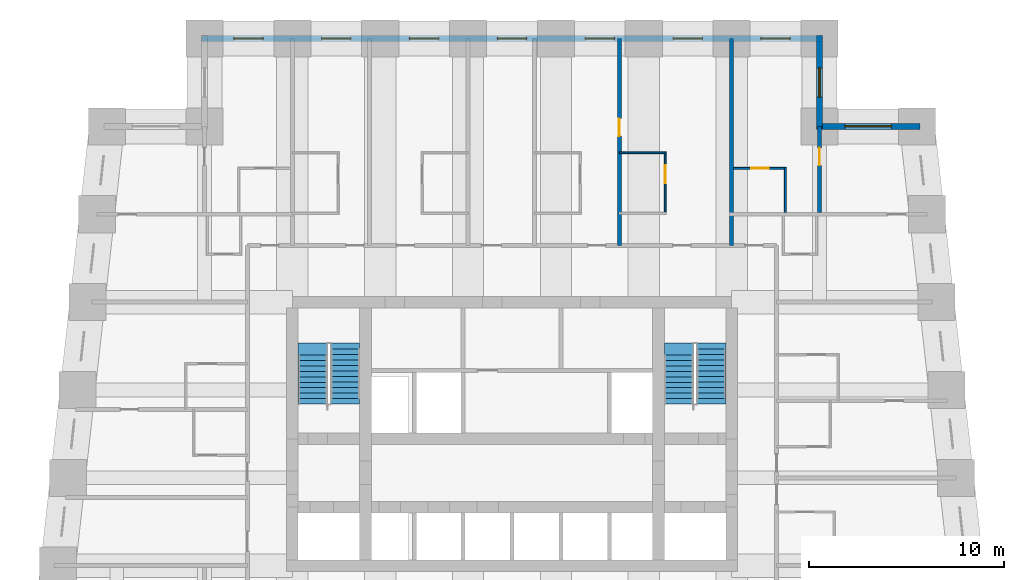
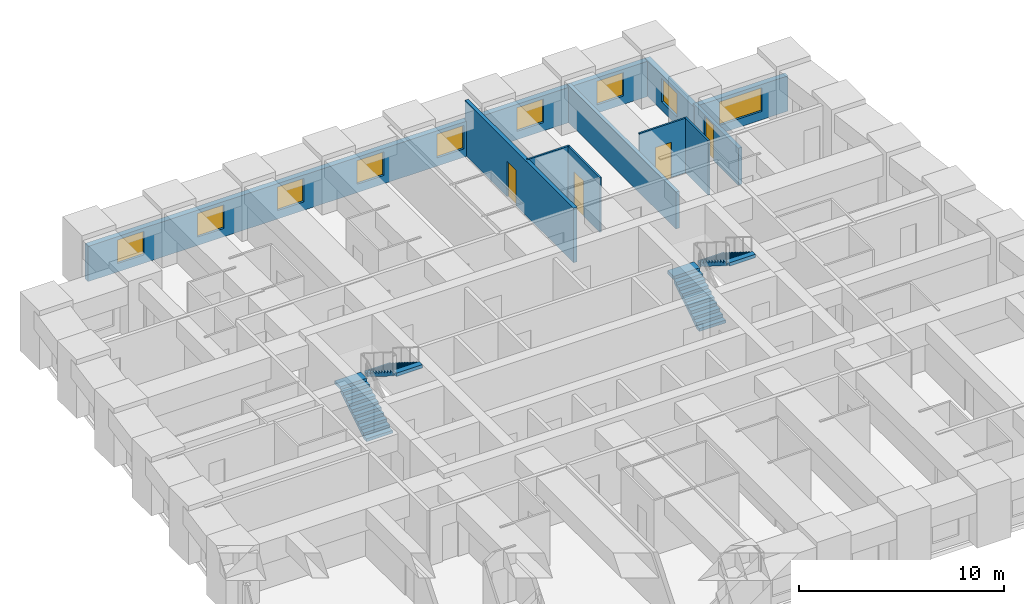
# One storey, part 7 of 8: 10 walls, 9 windows, 4 doors, 4 stair flights, 13 openings, 2 elements without a shape of their own.
"""IFC4 building model written with IfcOpenShell, lengths in metres."""

import ifcopenshell
import ifcopenshell.guid

model = None  # the IFC model being written
_history = None  # IfcOwnerHistory: only IFC2X3 demands one
_inside = {}  # id of a spatial element -> (the spatial element, [elements in it])
_under = {}  # id of a project, library or spatial element -> (it, [spatial elements below it])
_declared = {}  # id of a project -> (the project, [libraries it declares])
_typed = {}  # id of a type object -> (the type object, [elements of that type])
_made_of = {}  # id of a material, layer set ... -> (it, [elements and type objects made of it])


def new_model(schema):
    """Start an empty IFC model of exactly this schema.

    Asked for "IFC4X3", IfcOpenShell would pick the latest addendum, in which some entities
    have other attributes; the version numbers below select the first issue.
    IFC2X3 requires an IfcOwnerHistory on every rooted entity: one is made here for all.
    """
    global model, _history
    if schema == "IFC4X3":
        model = ifcopenshell.file(schema_version=(4, 3, 0, 0))
    else:
        model = ifcopenshell.file(schema=schema)
    _inside.clear()
    _under.clear()
    _declared.clear()
    _typed.clear()
    _made_of.clear()
    _history = None
    if model.schema == "IFC2X3":
        org = make("IfcOrganization", Name="unknown")
        user = make(
            "IfcPersonAndOrganization",
            ThePerson=make("IfcPerson", FamilyName="unknown"),
            TheOrganization=org,
        )
        app = make(
            "IfcApplication",
            ApplicationDeveloper=org,
            Version="unknown",
            ApplicationFullName="unknown",
            ApplicationIdentifier="unknown",
        )
        _history = make(
            "IfcOwnerHistory",
            OwningUser=user,
            OwningApplication=app,
            ChangeAction="ADDED",
            CreationDate=0,
        )
    return model


def make(cls, **values):
    """One entity of the class cls with the attributes given. An attribute that is None is left unset."""
    return model.create_entity(
        cls, **{name: value for name, value in values.items() if value is not None}
    )


def rooted(cls, **values):
    """An entity with a GlobalId (a new one), such as an element, a storey or a relation."""
    return make(cls, GlobalId=ifcopenshell.guid.new(), OwnerHistory=_history, **values)


def si_unit(unit_type, name, prefix=None):
    """IfcSIUnit, for example si_unit("LENGTHUNIT", "METRE", prefix="MILLI")."""
    return make("IfcSIUnit", UnitType=unit_type, Prefix=prefix, Name=name)


def assignment(units):
    """IfcUnitAssignment: the units of a project."""
    return None if units is None else make("IfcUnitAssignment", Units=units)


def point(xyz):
    """IfcCartesianPoint."""
    return None if xyz is None else make("IfcCartesianPoint", Coordinates=xyz)


def direction(xyz):
    """IfcDirection."""
    return None if xyz is None else make("IfcDirection", DirectionRatios=xyz)


def frame(location, z_axis=None, x_axis=None):
    """IfcAxis2Placement3D, a coordinate frame: its origin and axes. An axis left out is left unset."""
    return make(
        "IfcAxis2Placement3D",
        Location=point(location),
        Axis=direction(z_axis),
        RefDirection=direction(x_axis),
    )


def frame_2d(location, x_axis=None):
    """IfcAxis2Placement2D, a coordinate frame in the plane: its origin and x axis."""
    return make(
        "IfcAxis2Placement2D", Location=point(location), RefDirection=direction(x_axis)
    )


def origin():
    """The frame at (0, 0, 0) with its axes left unset."""
    return frame((0.0, 0.0, 0.0))


def place(relative_to, where):
    """IfcLocalPlacement: puts the frame where relative to a parent placement (None: the world)."""
    return make(
        "IfcLocalPlacement", PlacementRelTo=relative_to, RelativePlacement=where
    )


def context(
    kind, dimensions, precision=None, world=None, true_north=None, identifier=None
):
    """IfcGeometricRepresentationContext, for example the 3D "Model" context."""
    return make(
        "IfcGeometricRepresentationContext",
        ContextIdentifier=identifier,
        ContextType=kind,
        CoordinateSpaceDimension=dimensions,
        Precision=precision,
        WorldCoordinateSystem=world,
        TrueNorth=true_north,
    )


def subcontext(parent, identifier, kind, view, scale=None):
    """IfcGeometricRepresentationSubContext, for example "Body" below "Model"."""
    return make(
        "IfcGeometricRepresentationSubContext",
        ContextIdentifier=identifier,
        ContextType=kind,
        ParentContext=parent,
        TargetScale=scale,
        TargetView=view,
    )


def project(units=None, contexts=None):
    """IfcProject with its units and contexts."""
    return rooted(
        "IfcProject",
        Name="project",
        RepresentationContexts=contexts,
        UnitsInContext=assignment(units),
    )


def spatial(cls, under=None, at=None, **own):
    """A site, building, storey or space (cls), placed at a placement, below another one or the project."""
    s = rooted(cls, ObjectPlacement=at, **own)
    if under is not None:
        _under.setdefault(under.id(), (under, []))[1].append(s)
    return s


def polyline(points):
    """IfcPolyline through the points."""
    return make("IfcPolyline", Points=[point(p) for p in points])


def profile(cls, at=None, kind="AREA", **sizes):
    """A parametric profile (cls). Its sizes go by their IFC names, for example OverallWidth=200.0."""
    return make(cls, ProfileType=kind, Position=at, **sizes)


def rectangle(**sizes):
    """IfcRectangleProfileDef."""
    return profile("IfcRectangleProfileDef", **sizes)


def outline(outer, holes=None, kind="AREA"):
    """IfcArbitraryClosedProfileDef: a profile drawn as a closed curve; with holes, ...WithVoids."""
    if holes is None:
        return make("IfcArbitraryClosedProfileDef", ProfileType=kind, OuterCurve=outer)
    return make(
        "IfcArbitraryProfileDefWithVoids",
        ProfileType=kind,
        OuterCurve=outer,
        InnerCurves=holes,
    )


def extrude(swept, where, along, depth):
    """IfcExtrudedAreaSolid: the profile swept, set in the frame where, extruded along a direction by depth."""
    return make(
        "IfcExtrudedAreaSolid",
        SweptArea=swept,
        Position=where,
        ExtrudedDirection=direction(along),
        Depth=depth,
    )


def shape(context_of_items, identifier, shape_type, items):
    """IfcShapeRepresentation: the items that make up one representation, for example the "Body"."""
    return make(
        "IfcShapeRepresentation",
        ContextOfItems=context_of_items,
        RepresentationIdentifier=identifier,
        RepresentationType=shape_type,
        Items=items,
    )


def material(Name=None, Category=None):
    """IfcMaterial."""
    return make("IfcMaterial", Name=Name, Category=Category)


def layer(
    of_material, thickness, ventilated=None, Name=None, Category=None, Priority=None
):
    """IfcMaterialLayer: one layer of a wall or slab, of a material (None: an air gap)."""
    return make(
        "IfcMaterialLayer",
        Material=of_material,
        LayerThickness=thickness,
        IsVentilated=ventilated,
        Name=Name,
        Category=Category,
        Priority=Priority,
    )


def layer_set(layers, Name=None):
    """IfcMaterialLayerSet."""
    return make("IfcMaterialLayerSet", MaterialLayers=layers, LayerSetName=Name)


def made_of(thing, what):
    """Note that an element or type object is made of a material, layer set ...; save() writes the relation."""
    if what is not None:
        _made_of.setdefault(what.id(), (what, []))[1].append(thing)
    return thing


def type_object(cls, material=None, **own):
    """A type object (cls), such as IfcWallType, which elements share."""
    return made_of(rooted(cls, **own), material)


def element(
    cls,
    number,
    at=None,
    inside=None,
    cuts=None,
    type_object=None,
    material=None,
    context=None,
    identifier="Body",
    shape_type=None,
    held_by="IfcProductDefinitionShape",
    body=None,
    shapes=None,
    **own,
):
    """One element of the class cls, such as IfcWall. Its Tag is "e" and its number.

    at: its placement. inside: the storey or other place that contains it. cuts: it is an
    opening in that element (IfcRelVoidsElement). A single representation is given by context,
    identifier, shape_type and body (its items); several are given by shapes. held_by: the class
    of the entity that holds the representations. save() writes the other relations.
    """
    e = rooted(cls, Tag="e%d" % number, ObjectPlacement=at, **own)
    if body is not None:
        shapes = [shape(context, identifier, shape_type, body)]
    if shapes is not None:
        e.Representation = make(held_by, Representations=shapes)
    if inside is not None:
        _inside.setdefault(inside.id(), (inside, []))[1].append(e)
    if cuts is not None:
        rooted(
            "IfcRelVoidsElement", RelatingBuildingElement=cuts, RelatedOpeningElement=e
        )
    if type_object is not None:
        _typed.setdefault(type_object.id(), (type_object, []))[1].append(e)
    return made_of(e, material)


def fill(opening, filler):
    """IfcRelFillsElement: the door or window that sits in an opening."""
    return rooted(
        "IfcRelFillsElement",
        RelatingOpeningElement=opening,
        RelatedBuildingElement=filler,
    )


def aggregate(whole, parts):
    """IfcRelAggregates: a whole, such as a stair, and the parts it consists of."""
    return rooted("IfcRelAggregates", RelatingObject=whole, RelatedObjects=parts)


def save(model, path):
    """Write the relations noted so far, then the file.

    IfcRelAggregates (storeys below a building ...), IfcRelContainedInSpatialStructure (elements
    in a storey), IfcRelDefinesByType, IfcRelAssociatesMaterial and IfcRelDeclares: one each for
    every whole, place, type object, material and project.
    """
    for whole, parts in _under.values():
        aggregate(whole, parts)
    for where, things in _inside.values():
        rooted(
            "IfcRelContainedInSpatialStructure",
            RelatedElements=things,
            RelatingStructure=where,
        )
    for kind, things in _typed.values():
        rooted("IfcRelDefinesByType", RelatedObjects=things, RelatingType=kind)
    for what, things in _made_of.values():
        rooted("IfcRelAssociatesMaterial", RelatedObjects=things, RelatingMaterial=what)
    for by, libraries in _declared.values():
        rooted("IfcRelDeclares", RelatingContext=by, RelatedDefinitions=libraries)
    model.write(path)


model = new_model("IFC4")

# Units and contexts
model_context = context("Model", 3, precision=1e-05, world=origin(), true_north=direction((0.0, 1.0)))
body_context = subcontext(model_context, "Body", "Model", "MODEL_VIEW")
ifc_project = project(units=[si_unit("LENGTHUNIT", "METRE"), si_unit("AREAUNIT", "SQUARE_METRE"), si_unit("VOLUMEUNIT", "CUBIC_METRE"), si_unit("PLANEANGLEUNIT", "RADIAN"), si_unit("MASSUNIT", "GRAM", prefix="KILO")], contexts=[model_context])

# Site, building, storey
site_placement = place(None, origin())
site = spatial("IfcSite", under=ifc_project, at=site_placement, CompositionType="ELEMENT")
building_placement = place(site_placement, origin())
building = spatial("IfcBuilding", under=site, at=building_placement, Name="Kilele Tower Hotel", CompositionType="ELEMENT")
storey_placement = place(building_placement, frame((0.0, 0.0, 82.199951171875)))
storey = spatial("IfcBuildingStorey", under=building, at=storey_placement, Name="L20", CompositionType="ELEMENT", Elevation=82.199951171875)

# Wall
ifc_material_1 = material(Name="Moisture-resistant board")
ifc_layer_1 = layer(ifc_material_1, 0.10009765625)
ifc_layer_set_1 = layer_set([ifc_layer_1], Name="Moisture-resistant board")
wall_type_1 = type_object("IfcWallType", Name="Bathroom partition 100", PredefinedType="PLUMBINGWALL", material=ifc_layer_set_1)
wall_1_placement = place(storey_placement, frame((30.25, 34.64990234375, 0.0), z_axis=(0.0, 0.0, 1.0), x_axis=(1.0, 0.0, 0.0)))
element("IfcWall", 1, at=wall_1_placement, inside=storey, type_object=wall_type_1, Name="Bathroom partition 100 L20", PredefinedType="PLUMBINGWALL", context=body_context, shape_type="SweptSolid", body=[
    extrude(rectangle(XDim=2.39990234375, YDim=0.10009765625, at=frame_2d((1.199951171875, 0.0))), origin(), (0.0, 0.0, 1.0), 3.25),
])

# Wall, opening, door
wall_2_placement = place(storey_placement, frame((32.60009765625, 31.5, 0.0), z_axis=(0.0, 0.0, 1.0), x_axis=(0.0, 1.0, 0.0)))
wall_2 = element("IfcWall", 2, at=wall_2_placement, inside=storey, type_object=wall_type_1, Name="Bathroom partition 100 L20", PredefinedType="PLUMBINGWALL", context=body_context, shape_type="SweptSolid", body=[
    extrude(rectangle(XDim=3.199951171875, YDim=0.10009765625, at=frame_2d((1.60009765625, 0.0))), origin(), (0.0, 0.0, 1.0), 3.25),
])
opening_1_placement = place(wall_2_placement, frame((2.5, 0.0, 0.0), z_axis=(0.0, 0.0, 1.0), x_axis=(-1.0, 0.0, 0.0)))
opening_1 = element("IfcOpeningElement", 3, at=opening_1_placement, cuts=wall_2, Name="Opening D2A", PredefinedType="OPENING", context=body_context, shape_type="SweptSolid", body=[
    extrude(rectangle(XDim=0.89990234375, YDim=2.10009765625, at=frame_2d((0.449951171875, 1.050048828125))), frame((0.0, 0.06005859375, 0.0), z_axis=(0.0, -1.0, 0.0), x_axis=(1.0, 0.0, 0.0)), (0.0, 0.0, 1.0), 0.1201171875),
])
ifc_material_2 = material(Name="Timber door leaf in hardwood frame", Category="wood")
door_type_1 = type_object("IfcDoorType", Name="Bathroom door 900", OperationType="SINGLE_SWING_LEFT", PredefinedType="DOOR", material=ifc_material_2)
door_1_placement = place(opening_1_placement, origin())
door_1 = element("IfcDoor", 4, at=door_1_placement, inside=storey, type_object=door_type_1, Name="Bathroom door 2013B", OperationType="SINGLE_SWING_LEFT", OverallHeight=2.10009765625, OverallWidth=0.89990234375, PredefinedType="DOOR", context=body_context, shape_type="SweptSolid", body=[
    extrude(rectangle(XDim=0.89990234375, YDim=2.10009765625, at=frame_2d((0.449951171875, 1.050048828125))), frame((0.0, 0.02490234375, 0.0), z_axis=(0.0, -1.0, 0.0), x_axis=(1.0, 0.0, 0.0)), (0.0, 0.0, 1.0), 0.050048828125),
])
fill(opening_1, door_1)

# Wall
wall_3_placement = place(storey_placement, frame((38.75, 31.60009765625, 0.0), z_axis=(0.0, 0.0, 1.0), x_axis=(0.0, 1.0, 0.0)))
element("IfcWall", 5, at=wall_3_placement, inside=storey, type_object=wall_type_1, Name="Bathroom partition 100 L20", PredefinedType="PLUMBINGWALL", context=body_context, shape_type="SweptSolid", body=[
    extrude(rectangle(XDim=2.2998046875, YDim=0.10009765625, at=frame_2d((1.14990234375, 0.0))), origin(), (0.0, 0.0, 1.0), 3.25),
])

# Wall, opening, door
wall_4_placement = place(storey_placement, frame((36.10009765625, 33.85009765625, 0.0), z_axis=(0.0, 0.0, 1.0), x_axis=(1.0, 0.0, 0.0)))
wall_4 = element("IfcWall", 6, at=wall_4_placement, inside=storey, type_object=wall_type_1, Name="Bathroom partition 100 L20", PredefinedType="PLUMBINGWALL", context=body_context, shape_type="SweptSolid", body=[
    extrude(rectangle(XDim=2.699951171875, YDim=0.10009765625, at=frame_2d((1.35009765625, 0.0))), origin(), (0.0, 0.0, 1.0), 3.25),
])
opening_2_placement = place(wall_4_placement, frame((0.89990234375, 0.0, 0.0)))
opening_2 = element("IfcOpeningElement", 7, at=opening_2_placement, cuts=wall_4, Name="Opening D2A", PredefinedType="OPENING", context=body_context, shape_type="SweptSolid", body=[
    extrude(rectangle(XDim=0.89990234375, YDim=2.10009765625, at=frame_2d((0.449951171875, 1.050048828125))), frame((0.0, 0.06005859375, 0.0), z_axis=(0.0, -1.0, 0.0), x_axis=(1.0, 0.0, 0.0)), (0.0, 0.0, 1.0), 0.1201171875),
])
door_2_placement = place(opening_2_placement, origin())
door_2 = element("IfcDoor", 8, at=door_2_placement, inside=storey, type_object=door_type_1, Name="Bathroom door 2024B", OperationType="SINGLE_SWING_LEFT", OverallHeight=2.10009765625, OverallWidth=0.89990234375, PredefinedType="DOOR", context=body_context, shape_type="SweptSolid", body=[
    extrude(rectangle(XDim=0.89990234375, YDim=2.10009765625, at=frame_2d((0.449951171875, 1.050048828125))), frame((0.0, 0.02490234375, 0.0), z_axis=(0.0, -1.0, 0.0), x_axis=(1.0, 0.0, 0.0)), (0.0, 0.0, 1.0), 0.050048828125),
])
fill(opening_2, door_2)

ifc_material_3 = material(Name="Blockwork, plastered both sides", Category="masonry")
ifc_layer_2 = layer(ifc_material_3, 0.199951171875)
ifc_layer_set_2 = layer_set([ifc_layer_2], Name="Blockwork, plastered both sides")
wall_type_2 = type_object("IfcWallType", Name="Partition wall 200", PredefinedType="PARTITIONING", material=ifc_layer_set_2)
wall_5_placement = place(storey_placement, frame((40.5, 31.60009765625, 0.0), z_axis=(0.0, 0.0, 1.0), x_axis=(0.0, 1.0, 0.0)))
wall_5 = element("IfcWall", 9, at=wall_5_placement, inside=storey, type_object=wall_type_2, Name="Partition wall 200 L20", PredefinedType="PARTITIONING", context=body_context, shape_type="SweptSolid", body=[
    extrude(rectangle(XDim=4.39990234375, YDim=0.199951171875, at=frame_2d((2.199951171875, 0.0))), origin(), (0.0, 0.0, 1.0), 2.199951171875),
])
opening_3_placement = place(wall_5_placement, frame((2.39990234375, 0.0, 0.0)))
opening_3 = element("IfcOpeningElement", 10, at=opening_3_placement, cuts=wall_5, Name="Opening D3", PredefinedType="OPENING", context=body_context, shape_type="SweptSolid", body=[
    extrude(rectangle(XDim=0.89990234375, YDim=2.10009765625, at=frame_2d((0.449951171875, 1.050048828125))), frame((0.0, 0.10986328125, 0.0), z_axis=(0.0, -1.0, 0.0), x_axis=(1.0, 0.0, 0.0)), (0.0, 0.0, 1.0), 0.219970703125),
])
ifc_material_4 = material(Name="Timber door leaf in hardwood frame", Category="wood")
door_type_2 = type_object("IfcDoorType", Name="Suite internal door 900", OperationType="SINGLE_SWING_LEFT", PredefinedType="DOOR", material=ifc_material_4)
door_3_placement = place(opening_3_placement, origin())
door_3 = element("IfcDoor", 11, at=door_3_placement, inside=storey, type_object=door_type_2, Name="Suite door 2025", OperationType="SINGLE_SWING_RIGHT", OverallHeight=2.10009765625, OverallWidth=0.89990234375, PredefinedType="DOOR", context=body_context, shape_type="SweptSolid", body=[
    extrude(rectangle(XDim=0.89990234375, YDim=2.10009765625, at=frame_2d((0.449951171875, 1.050048828125))), frame((0.0, 0.02490234375, 0.0), z_axis=(0.0, -1.0, 0.0), x_axis=(1.0, 0.0, 0.0)), (0.0, 0.0, 1.0), 0.050048828125),
])
fill(opening_3, door_3)

ifc_material_5 = material(Name="Blockwork, plastered both sides", Category="masonry")
ifc_layer_3 = layer(ifc_material_5, 0.199951171875)
ifc_layer_set_3 = layer_set([ifc_layer_3], Name="Blockwork, plastered both sides")
wall_type_3 = type_object("IfcWallType", Name="Party wall 200", PredefinedType="PARTITIONING", material=ifc_layer_set_3)
wall_6_placement = place(storey_placement, frame((30.25, 29.89990234375, 0.0), z_axis=(0.0, 0.0, 1.0), x_axis=(0.0, 1.0, 0.0)))
wall_6 = element("IfcWall", 12, at=wall_6_placement, inside=storey, type_object=wall_type_3, Name="Party wall 200 L20", PredefinedType="PARTITIONING", context=body_context, shape_type="SweptSolid", body=[
    extrude(rectangle(XDim=10.60009765625, YDim=0.199951171875, at=frame_2d((5.300048828125, 0.0))), origin(), (0.0, 0.0, 1.0), 3.25),
])
opening_4_placement = place(wall_6_placement, frame((6.5, 0.0, 0.0), z_axis=(0.0, 0.0, 1.0), x_axis=(-1.0, 0.0, 0.0)))
opening_4 = element("IfcOpeningElement", 13, at=opening_4_placement, cuts=wall_6, Name="Opening D3C", PredefinedType="OPENING", context=body_context, shape_type="SweptSolid", body=[
    extrude(rectangle(XDim=0.89990234375, YDim=2.10009765625, at=frame_2d((0.449951171875, 1.050048828125))), frame((0.0, 0.10986328125, 0.0), z_axis=(0.0, -1.0, 0.0), x_axis=(1.0, 0.0, 0.0)), (0.0, 0.0, 1.0), 0.219970703125),
])
ifc_material_6 = material(Name="Timber door leaf in hardwood frame", Category="wood")
door_type_3 = type_object("IfcDoorType", Name="Connecting door 900", OperationType="SINGLE_SWING_LEFT", PredefinedType="DOOR", material=ifc_material_6)
door_4_placement = place(opening_4_placement, origin())
door_4 = element("IfcDoor", 14, at=door_4_placement, inside=storey, type_object=door_type_3, Name="Connecting door 2013", OperationType="SINGLE_SWING_RIGHT", OverallHeight=2.10009765625, OverallWidth=0.89990234375, PredefinedType="DOOR", context=body_context, shape_type="SweptSolid", body=[
    extrude(rectangle(XDim=0.89990234375, YDim=2.10009765625, at=frame_2d((0.449951171875, 1.050048828125))), frame((0.0, 0.02490234375, 0.0), z_axis=(0.0, -1.0, 0.0), x_axis=(1.0, 0.0, 0.0)), (0.0, 0.0, 1.0), 0.050048828125),
])
fill(opening_4, door_4)

# Wall
wall_7_placement = place(storey_placement, frame((36.0, 29.89990234375, 0.0), z_axis=(0.0, 0.0, 1.0), x_axis=(0.0, 1.0, 0.0)))
element("IfcWall", 15, at=wall_7_placement, inside=storey, type_object=wall_type_3, Name="Party wall 200 L20", PredefinedType="PARTITIONING", context=body_context, shape_type="SweptSolid", body=[
    extrude(rectangle(XDim=10.60009765625, YDim=0.199951171875, at=frame_2d((5.300048828125, 0.0))), origin(), (0.0, 0.0, 1.0), 2.199951171875),
])

# Wall, opening, window
ifc_material_7 = material(Name="Concrete C40/50 precast", Category="concrete")
ifc_layer_4 = layer(ifc_material_7, 0.260009765625, Name="Precast backing", Category="LoadBearing")
ifc_material_8 = material(Name="Reconstituted stone finish", Category="masonry")
ifc_layer_5 = layer(ifc_material_8, 0.0400390625, Name="Face mix", Category="Finish")
ifc_layer_set_4 = layer_set([ifc_layer_4, ifc_layer_5], Name="Precast concrete C40/50, reconstituted stone finish")
wall_type_4 = type_object("IfcWallType", Name="Precast stone facade wall 300", PredefinedType="STANDARD", material=ifc_layer_set_4)
wall_8_placement = place(storey_placement, frame((45.64990234375, 36.0, 0.0), z_axis=(0.0, 0.0, 1.0), x_axis=(-1.0, 0.0, 0.0)))
wall_8 = element("IfcWall", 16, at=wall_8_placement, inside=storey, type_object=wall_type_4, Name="Facade wall L20 edge 7", PredefinedType="STANDARD", context=body_context, shape_type="SweptSolid", body=[
    extrude(rectangle(XDim=5.2998046875, YDim=0.300048828125, at=frame_2d((2.64990234375, 0.0))), origin(), (0.0, 0.0, 1.0), 2.10009765625),
])
opening_5_placement = place(wall_8_placement, frame((1.449951171875, 0.0, 0.5)))
opening_5 = element("IfcOpeningElement", 17, at=opening_5_placement, cuts=wall_8, Name="Opening W1", PredefinedType="OPENING", context=body_context, shape_type="SweptSolid", body=[
    extrude(rectangle(XDim=2.39990234375, YDim=1.39990234375, at=frame_2d((1.199951171875, 0.699951171875))), frame((0.0, 0.159912109375, 0.0), z_axis=(0.0, -1.0, 0.0), x_axis=(1.0, 0.0, 0.0)), (0.0, 0.0, 1.0), 0.320068359375),
])
ifc_material_9 = material(Name="Aluminium frame, clear double glazing", Category="aluminium")
window_type_1 = type_object("IfcWindowType", Name="Window W1 2400 x 1400", PartitioningType="SINGLE_PANEL", PredefinedType="WINDOW", material=ifc_material_9)
window_1_placement = place(opening_5_placement, origin())
window_1 = element("IfcWindow", 18, at=window_1_placement, inside=storey, type_object=window_type_1, Name="Window L20", OverallHeight=1.39990234375, OverallWidth=2.39990234375, PartitioningType="SINGLE_PANEL", PredefinedType="WINDOW", context=body_context, shape_type="SweptSolid", body=[
    extrude(rectangle(XDim=2.39990234375, YDim=1.39990234375, at=frame_2d((1.199951171875, 0.699951171875))), frame((0.0, 0.030029296875, 0.0), z_axis=(0.0, -1.0, 0.0), x_axis=(1.0, 0.0, 0.0)), (0.0, 0.0, 1.0), 0.06005859375),
])
fill(opening_5, window_1)

wall_9_placement = place(storey_placement, frame((40.5, 35.85009765625, 0.0), z_axis=(0.0, 0.0, 1.0), x_axis=(0.0, 1.0, 0.0)))
wall_9 = element("IfcWall", 19, at=wall_9_placement, inside=storey, type_object=wall_type_4, Name="Facade wall L20 edge 8", PredefinedType="STANDARD", context=body_context, shape_type="SweptSolid", body=[
    extrude(rectangle(XDim=4.7998046875, YDim=0.300048828125, at=frame_2d((2.39990234375, 0.0))), origin(), (0.0, 0.0, 1.0), 2.10009765625),
])
opening_6_placement = place(wall_9_placement, frame((1.64990234375, 0.0, 0.5)))
opening_6 = element("IfcOpeningElement", 20, at=opening_6_placement, cuts=wall_9, Name="Opening W1", PredefinedType="OPENING", context=body_context, shape_type="SweptSolid", body=[
    extrude(rectangle(XDim=1.5, YDim=1.39990234375, at=frame_2d((0.75, 0.699951171875))), frame((0.0, 0.159912109375, 0.0), z_axis=(0.0, -1.0, 0.0), x_axis=(1.0, 0.0, 0.0)), (0.0, 0.0, 1.0), 0.320068359375),
])
ifc_material_10 = material(Name="Aluminium frame, clear double glazing", Category="aluminium")
window_type_2 = type_object("IfcWindowType", Name="Window W1 1500 x 1400", PartitioningType="SINGLE_PANEL", PredefinedType="WINDOW", material=ifc_material_10)
window_2_placement = place(opening_6_placement, origin())
window_2 = element("IfcWindow", 21, at=window_2_placement, inside=storey, type_object=window_type_2, Name="Window L20", OverallHeight=1.39990234375, OverallWidth=1.5, PartitioningType="SINGLE_PANEL", PredefinedType="WINDOW", context=body_context, shape_type="SweptSolid", body=[
    extrude(rectangle(XDim=1.5, YDim=1.39990234375, at=frame_2d((0.75, 0.699951171875))), frame((0.0, 0.030029296875, 0.0), z_axis=(0.0, -1.0, 0.0), x_axis=(1.0, 0.0, 0.0)), (0.0, 0.0, 1.0), 0.06005859375),
])
fill(opening_6, window_2)

# Wall, openings, windows
wall_10_placement = place(storey_placement, frame((40.64990234375, 40.5, 0.0), z_axis=(0.0, 0.0, 1.0), x_axis=(-1.0, 0.0, 0.0)))
wall_10 = element("IfcWall", 22, at=wall_10_placement, inside=storey, type_object=wall_type_4, Name="Facade wall L20 edge 9", PredefinedType="STANDARD", context=body_context, shape_type="SweptSolid", body=[
    extrude(rectangle(XDim=31.7998046875, YDim=0.300048828125, at=frame_2d((15.89990234375, 0.0))), origin(), (0.0, 0.0, 1.0), 2.10009765625),
])
opening_7_placement = place(wall_10_placement, frame((1.64990234375, 0.0, 0.5)))
opening_7 = element("IfcOpeningElement", 23, at=opening_7_placement, cuts=wall_10, Name="Opening W1", PredefinedType="OPENING", context=body_context, shape_type="SweptSolid", body=[
    extrude(rectangle(XDim=1.5, YDim=1.39990234375, at=frame_2d((0.75, 0.699951171875))), frame((0.0, 0.159912109375, 0.0), z_axis=(0.0, -1.0, 0.0), x_axis=(1.0, 0.0, 0.0)), (0.0, 0.0, 1.0), 0.320068359375),
])
opening_8_placement = place(wall_10_placement, frame((6.14990234375, 0.0, 0.5)))
opening_8 = element("IfcOpeningElement", 24, at=opening_8_placement, cuts=wall_10, Name="Opening W1", PredefinedType="OPENING", context=body_context, shape_type="SweptSolid", body=[
    extrude(rectangle(XDim=1.5, YDim=1.39990234375, at=frame_2d((0.75, 0.699951171875))), frame((0.0, 0.159912109375, 0.0), z_axis=(0.0, -1.0, 0.0), x_axis=(1.0, 0.0, 0.0)), (0.0, 0.0, 1.0), 0.320068359375),
])
opening_9_placement = place(wall_10_placement, frame((10.64990234375, 0.0, 0.5)))
opening_9 = element("IfcOpeningElement", 25, at=opening_9_placement, cuts=wall_10, Name="Opening W1", PredefinedType="OPENING", context=body_context, shape_type="SweptSolid", body=[
    extrude(rectangle(XDim=1.5, YDim=1.39990234375, at=frame_2d((0.75, 0.699951171875))), frame((0.0, 0.159912109375, 0.0), z_axis=(0.0, -1.0, 0.0), x_axis=(1.0, 0.0, 0.0)), (0.0, 0.0, 1.0), 0.320068359375),
])
opening_10_placement = place(wall_10_placement, frame((15.14990234375, 0.0, 0.5)))
opening_10 = element("IfcOpeningElement", 26, at=opening_10_placement, cuts=wall_10, Name="Opening W1", PredefinedType="OPENING", context=body_context, shape_type="SweptSolid", body=[
    extrude(rectangle(XDim=1.5, YDim=1.39990234375, at=frame_2d((0.75, 0.699951171875))), frame((0.0, 0.159912109375, 0.0), z_axis=(0.0, -1.0, 0.0), x_axis=(1.0, 0.0, 0.0)), (0.0, 0.0, 1.0), 0.320068359375),
])
opening_11_placement = place(wall_10_placement, frame((19.64990234375, 0.0, 0.5)))
opening_11 = element("IfcOpeningElement", 27, at=opening_11_placement, cuts=wall_10, Name="Opening W1", PredefinedType="OPENING", context=body_context, shape_type="SweptSolid", body=[
    extrude(rectangle(XDim=1.5, YDim=1.39990234375, at=frame_2d((0.75, 0.699951171875))), frame((0.0, 0.159912109375, 0.0), z_axis=(0.0, -1.0, 0.0), x_axis=(1.0, 0.0, 0.0)), (0.0, 0.0, 1.0), 0.320068359375),
])
opening_12_placement = place(wall_10_placement, frame((24.14990234375, 0.0, 0.5)))
opening_12 = element("IfcOpeningElement", 28, at=opening_12_placement, cuts=wall_10, Name="Opening W1", PredefinedType="OPENING", context=body_context, shape_type="SweptSolid", body=[
    extrude(rectangle(XDim=1.5, YDim=1.39990234375, at=frame_2d((0.75, 0.699951171875))), frame((0.0, 0.159912109375, 0.0), z_axis=(0.0, -1.0, 0.0), x_axis=(1.0, 0.0, 0.0)), (0.0, 0.0, 1.0), 0.320068359375),
])
opening_13_placement = place(wall_10_placement, frame((28.64990234375, 0.0, 0.5)))
opening_13 = element("IfcOpeningElement", 29, at=opening_13_placement, cuts=wall_10, Name="Opening W1", PredefinedType="OPENING", context=body_context, shape_type="SweptSolid", body=[
    extrude(rectangle(XDim=1.5, YDim=1.39990234375, at=frame_2d((0.75, 0.699951171875))), frame((0.0, 0.159912109375, 0.0), z_axis=(0.0, -1.0, 0.0), x_axis=(1.0, 0.0, 0.0)), (0.0, 0.0, 1.0), 0.320068359375),
])
window_3_placement = place(opening_7_placement, origin())
window_3 = element("IfcWindow", 30, at=window_3_placement, inside=storey, type_object=window_type_2, Name="Window L20", OverallHeight=1.39990234375, OverallWidth=1.5, PartitioningType="SINGLE_PANEL", PredefinedType="WINDOW", context=body_context, shape_type="SweptSolid", body=[
    extrude(rectangle(XDim=1.5, YDim=1.39990234375, at=frame_2d((0.75, 0.699951171875))), frame((0.0, 0.030029296875, 0.0), z_axis=(0.0, -1.0, 0.0), x_axis=(1.0, 0.0, 0.0)), (0.0, 0.0, 1.0), 0.06005859375),
])
fill(opening_7, window_3)
window_4_placement = place(opening_8_placement, origin())
window_4 = element("IfcWindow", 31, at=window_4_placement, inside=storey, type_object=window_type_2, Name="Window L20", OverallHeight=1.39990234375, OverallWidth=1.5, PartitioningType="SINGLE_PANEL", PredefinedType="WINDOW", context=body_context, shape_type="SweptSolid", body=[
    extrude(rectangle(XDim=1.5, YDim=1.39990234375, at=frame_2d((0.75, 0.699951171875))), frame((0.0, 0.030029296875, 0.0), z_axis=(0.0, -1.0, 0.0), x_axis=(1.0, 0.0, 0.0)), (0.0, 0.0, 1.0), 0.06005859375),
])
fill(opening_8, window_4)
window_5_placement = place(opening_9_placement, origin())
window_5 = element("IfcWindow", 32, at=window_5_placement, inside=storey, type_object=window_type_2, Name="Window L20", OverallHeight=1.39990234375, OverallWidth=1.5, PartitioningType="SINGLE_PANEL", PredefinedType="WINDOW", context=body_context, shape_type="SweptSolid", body=[
    extrude(rectangle(XDim=1.5, YDim=1.39990234375, at=frame_2d((0.75, 0.699951171875))), frame((0.0, 0.030029296875, 0.0), z_axis=(0.0, -1.0, 0.0), x_axis=(1.0, 0.0, 0.0)), (0.0, 0.0, 1.0), 0.06005859375),
])
fill(opening_9, window_5)
window_6_placement = place(opening_10_placement, origin())
window_6 = element("IfcWindow", 33, at=window_6_placement, inside=storey, type_object=window_type_2, Name="Window L20", OverallHeight=1.39990234375, OverallWidth=1.5, PartitioningType="SINGLE_PANEL", PredefinedType="WINDOW", context=body_context, shape_type="SweptSolid", body=[
    extrude(rectangle(XDim=1.5, YDim=1.39990234375, at=frame_2d((0.75, 0.699951171875))), frame((0.0, 0.030029296875, 0.0), z_axis=(0.0, -1.0, 0.0), x_axis=(1.0, 0.0, 0.0)), (0.0, 0.0, 1.0), 0.06005859375),
])
fill(opening_10, window_6)
window_7_placement = place(opening_11_placement, origin())
window_7 = element("IfcWindow", 34, at=window_7_placement, inside=storey, type_object=window_type_2, Name="Window L20", OverallHeight=1.39990234375, OverallWidth=1.5, PartitioningType="SINGLE_PANEL", PredefinedType="WINDOW", context=body_context, shape_type="SweptSolid", body=[
    extrude(rectangle(XDim=1.5, YDim=1.39990234375, at=frame_2d((0.75, 0.699951171875))), frame((0.0, 0.030029296875, 0.0), z_axis=(0.0, -1.0, 0.0), x_axis=(1.0, 0.0, 0.0)), (0.0, 0.0, 1.0), 0.06005859375),
])
fill(opening_11, window_7)
window_8_placement = place(opening_12_placement, origin())
window_8 = element("IfcWindow", 35, at=window_8_placement, inside=storey, type_object=window_type_2, Name="Window L20", OverallHeight=1.39990234375, OverallWidth=1.5, PartitioningType="SINGLE_PANEL", PredefinedType="WINDOW", context=body_context, shape_type="SweptSolid", body=[
    extrude(rectangle(XDim=1.5, YDim=1.39990234375, at=frame_2d((0.75, 0.699951171875))), frame((0.0, 0.030029296875, 0.0), z_axis=(0.0, -1.0, 0.0), x_axis=(1.0, 0.0, 0.0)), (0.0, 0.0, 1.0), 0.06005859375),
])
fill(opening_12, window_8)
window_9_placement = place(opening_13_placement, origin())
window_9 = element("IfcWindow", 36, at=window_9_placement, inside=storey, type_object=window_type_2, Name="Window L20", OverallHeight=1.39990234375, OverallWidth=1.5, PartitioningType="SINGLE_PANEL", PredefinedType="WINDOW", context=body_context, shape_type="SweptSolid", body=[
    extrude(rectangle(XDim=1.5, YDim=1.39990234375, at=frame_2d((0.75, 0.699951171875))), frame((0.0, 0.030029296875, 0.0), z_axis=(0.0, -1.0, 0.0), x_axis=(1.0, 0.0, 0.0)), (0.0, 0.0, 1.0), 0.06005859375),
])
fill(opening_13, window_9)

# Stair, stair flights
ifc_material_11 = material(Name="Precast concrete C40/50", Category="concrete")
stair_type = type_object("IfcStairType", Name="Stair 1475 x 3500", PredefinedType="HALF_TURN_STAIR", material=ifc_material_11)
stair_1_placement = place(storey_placement, origin())
stair_1 = element("IfcStair", 37, at=stair_1_placement, inside=storey, type_object=stair_type, Name="Stair 1 L20", PredefinedType="HALF_TURN_STAIR")
ifc_material_12 = material(Name="Precast concrete C40/50", Category="concrete")
stair_flight_type = type_object("IfcStairFlightType", Name="Flight 1475 riser 175.0", PredefinedType="STRAIGHT", material=ifc_material_12)
stair_flight_1_placement = place(storey_placement, frame((14.53759765625, 21.77490234375, 0.0), z_axis=(0.0, 0.0, 1.0), x_axis=(0.0, 1.0, 0.0)))
stair_flight_1 = element("IfcStairFlight", 38, at=stair_flight_1_placement, type_object=stair_flight_type, Name="ST1 flight 1", NumberOfRisers=10, NumberOfTreads=9, PredefinedType="STRAIGHT", RiserHeight=0.175, TreadLength=0.28, context=body_context, shape_type="SweptSolid", body=[
    extrude(outline(polyline([(0.0, 0.0), (0.0, 0.175048828125), (0.280029296875, 0.175048828125), (0.280029296875, 0.35009765625), (0.56005859375, 0.35009765625), (0.56005859375, 0.52490234375), (0.840087890625, 0.52490234375), (0.840087890625, 0.699951171875), (1.1201171875, 0.699951171875), (1.1201171875, 0.875), (1.39990234375, 0.875), (1.39990234375, 1.050048828125), (1.679931640625, 1.050048828125), (1.679931640625, 1.22509765625), (1.9599609375, 1.22509765625), (1.9599609375, 1.39990234375), (2.239990234375, 1.39990234375), (2.239990234375, 1.574951171875), (2.52001953125, 1.574951171875), (2.52001953125, 1.75), (2.52001953125, 1.398193359375), (0.28271484375, 0.0), (0.0, 0.0)])), frame((0.0, 0.737548828125, 0.0), z_axis=(0.0, -1.0, 0.0), x_axis=(1.0, 0.0, 0.0)), (0.0, 0.0, 1.0), 1.47509765625),
    extrude(outline(polyline([(2.52001953125, 0.737548828125), (2.52001953125, -0.7373046875), (3.1201171875, -0.7373046875), (3.1201171875, 0.737548828125), (2.52001953125, 0.737548828125)])), frame((0.0, 0.0, 1.550048828125)), (0.0, 0.0, 1.0), 0.199951171875),
])
stair_flight_2_placement = place(storey_placement, frame((16.21240234375, 24.594970703125, 1.75), z_axis=(0.0, 0.0, 1.0), x_axis=(0.0, -1.0, 0.0)))
stair_flight_2 = element("IfcStairFlight", 39, at=stair_flight_2_placement, type_object=stair_flight_type, Name="ST1 flight 2", NumberOfRisers=10, NumberOfTreads=9, PredefinedType="STRAIGHT", RiserHeight=0.175, TreadLength=0.28, context=body_context, shape_type="SweptSolid", body=[
    extrude(outline(polyline([(0.0, 0.0), (0.0, 0.175048828125), (0.280029296875, 0.175048828125), (0.280029296875, 0.35009765625), (0.56005859375, 0.35009765625), (0.56005859375, 0.52490234375), (0.840087890625, 0.52490234375), (0.840087890625, 0.699951171875), (1.1201171875, 0.699951171875), (1.1201171875, 0.875), (1.39990234375, 0.875), (1.39990234375, 1.050048828125), (1.679931640625, 1.050048828125), (1.679931640625, 1.22509765625), (1.9599609375, 1.22509765625), (1.9599609375, 1.39990234375), (2.239990234375, 1.39990234375), (2.239990234375, 1.574951171875), (2.52001953125, 1.574951171875), (2.52001953125, 1.75), (2.52001953125, 1.398193359375), (0.28271484375, 0.0), (0.0, 0.0)])), frame((0.0, 0.737548828125, 0.0), z_axis=(0.0, -1.0, 0.0), x_axis=(1.0, 0.0, 0.0)), (0.0, 0.0, 1.0), 1.47509765625),
    extrude(outline(polyline([(0.0, -0.7373046875), (0.0, 0.737548828125), (-0.300048828125, 0.737548828125), (-0.300048828125, -0.7373046875), (0.0, -0.7373046875)])), frame((0.0, 0.0, -0.199951171875)), (0.0, 0.0, 1.0), 0.199951171875),
    extrude(outline(polyline([(2.820068359375, -0.7373046875), (2.820068359375, 0.737548828125), (2.52001953125, 0.737548828125), (2.52001953125, -0.7373046875), (2.820068359375, -0.7373046875)])), frame((0.0, 0.0, 1.550048828125)), (0.0, 0.0, 1.0), 0.199951171875),
])
aggregate(stair_1, [stair_flight_1, stair_flight_2])

stair_2_placement = place(storey_placement, origin())
stair_2 = element("IfcStair", 40, at=stair_2_placement, inside=storey, type_object=stair_type, Name="Stair 2 L20", PredefinedType="HALF_TURN_STAIR")
stair_flight_3_placement = place(storey_placement, frame((33.28759765625, 21.77490234375, 0.0), z_axis=(0.0, 0.0, 1.0), x_axis=(0.0, 1.0, 0.0)))
stair_flight_3 = element("IfcStairFlight", 41, at=stair_flight_3_placement, type_object=stair_flight_type, Name="ST2 flight 1", NumberOfRisers=10, NumberOfTreads=9, PredefinedType="STRAIGHT", RiserHeight=0.175, TreadLength=0.28, context=body_context, shape_type="SweptSolid", body=[
    extrude(outline(polyline([(0.0, 0.0), (0.0, 0.175048828125), (0.280029296875, 0.175048828125), (0.280029296875, 0.35009765625), (0.56005859375, 0.35009765625), (0.56005859375, 0.52490234375), (0.840087890625, 0.52490234375), (0.840087890625, 0.699951171875), (1.1201171875, 0.699951171875), (1.1201171875, 0.875), (1.39990234375, 0.875), (1.39990234375, 1.050048828125), (1.679931640625, 1.050048828125), (1.679931640625, 1.22509765625), (1.9599609375, 1.22509765625), (1.9599609375, 1.39990234375), (2.239990234375, 1.39990234375), (2.239990234375, 1.574951171875), (2.52001953125, 1.574951171875), (2.52001953125, 1.75), (2.52001953125, 1.398193359375), (0.28271484375, 0.0), (0.0, 0.0)])), frame((0.0, 0.737548828125, 0.0), z_axis=(0.0, -1.0, 0.0), x_axis=(1.0, 0.0, 0.0)), (0.0, 0.0, 1.0), 1.47509765625),
    extrude(outline(polyline([(2.52001953125, 0.737548828125), (2.52001953125, -0.7373046875), (3.1201171875, -0.7373046875), (3.1201171875, 0.737548828125), (2.52001953125, 0.737548828125)])), frame((0.0, 0.0, 1.550048828125)), (0.0, 0.0, 1.0), 0.199951171875),
])
stair_flight_4_placement = place(storey_placement, frame((34.96240234375, 24.594970703125, 1.75), z_axis=(0.0, 0.0, 1.0), x_axis=(0.0, -1.0, 0.0)))
stair_flight_4 = element("IfcStairFlight", 42, at=stair_flight_4_placement, type_object=stair_flight_type, Name="ST2 flight 2", NumberOfRisers=10, NumberOfTreads=9, PredefinedType="STRAIGHT", RiserHeight=0.175, TreadLength=0.28, context=body_context, shape_type="SweptSolid", body=[
    extrude(outline(polyline([(0.0, 0.0), (0.0, 0.175048828125), (0.280029296875, 0.175048828125), (0.280029296875, 0.35009765625), (0.56005859375, 0.35009765625), (0.56005859375, 0.52490234375), (0.840087890625, 0.52490234375), (0.840087890625, 0.699951171875), (1.1201171875, 0.699951171875), (1.1201171875, 0.875), (1.39990234375, 0.875), (1.39990234375, 1.050048828125), (1.679931640625, 1.050048828125), (1.679931640625, 1.22509765625), (1.9599609375, 1.22509765625), (1.9599609375, 1.39990234375), (2.239990234375, 1.39990234375), (2.239990234375, 1.574951171875), (2.52001953125, 1.574951171875), (2.52001953125, 1.75), (2.52001953125, 1.398193359375), (0.28271484375, 0.0), (0.0, 0.0)])), frame((0.0, 0.737548828125, 0.0), z_axis=(0.0, -1.0, 0.0), x_axis=(1.0, 0.0, 0.0)), (0.0, 0.0, 1.0), 1.47509765625),
    extrude(outline(polyline([(0.0, -0.7373046875), (0.0, 0.737548828125), (-0.300048828125, 0.737548828125), (-0.300048828125, -0.7373046875), (0.0, -0.7373046875)])), frame((0.0, 0.0, -0.199951171875)), (0.0, 0.0, 1.0), 0.199951171875),
    extrude(outline(polyline([(2.820068359375, -0.7373046875), (2.820068359375, 0.737548828125), (2.52001953125, 0.737548828125), (2.52001953125, -0.7373046875), (2.820068359375, -0.7373046875)])), frame((0.0, 0.0, 1.550048828125)), (0.0, 0.0, 1.0), 0.199951171875),
])
aggregate(stair_2, [stair_flight_3, stair_flight_4])

save(model, "model.ifc")
